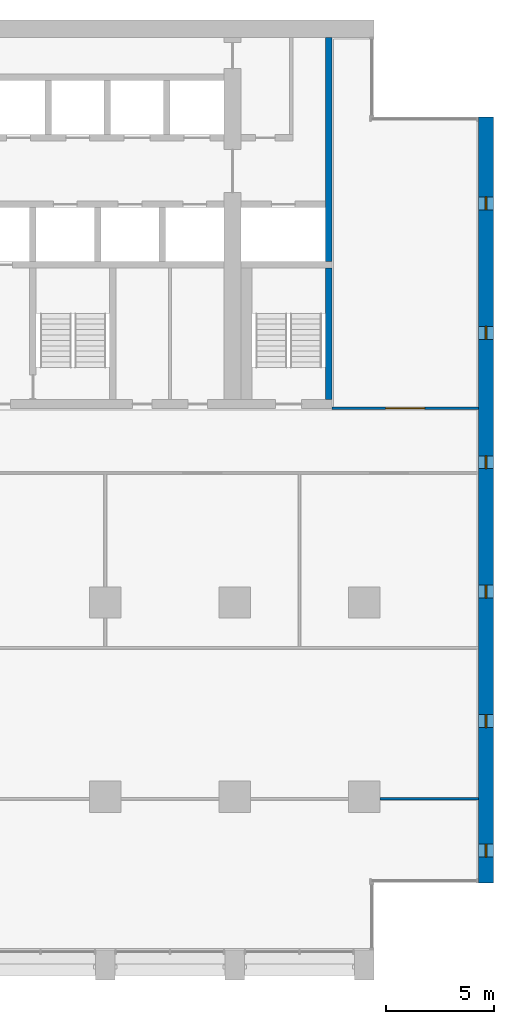
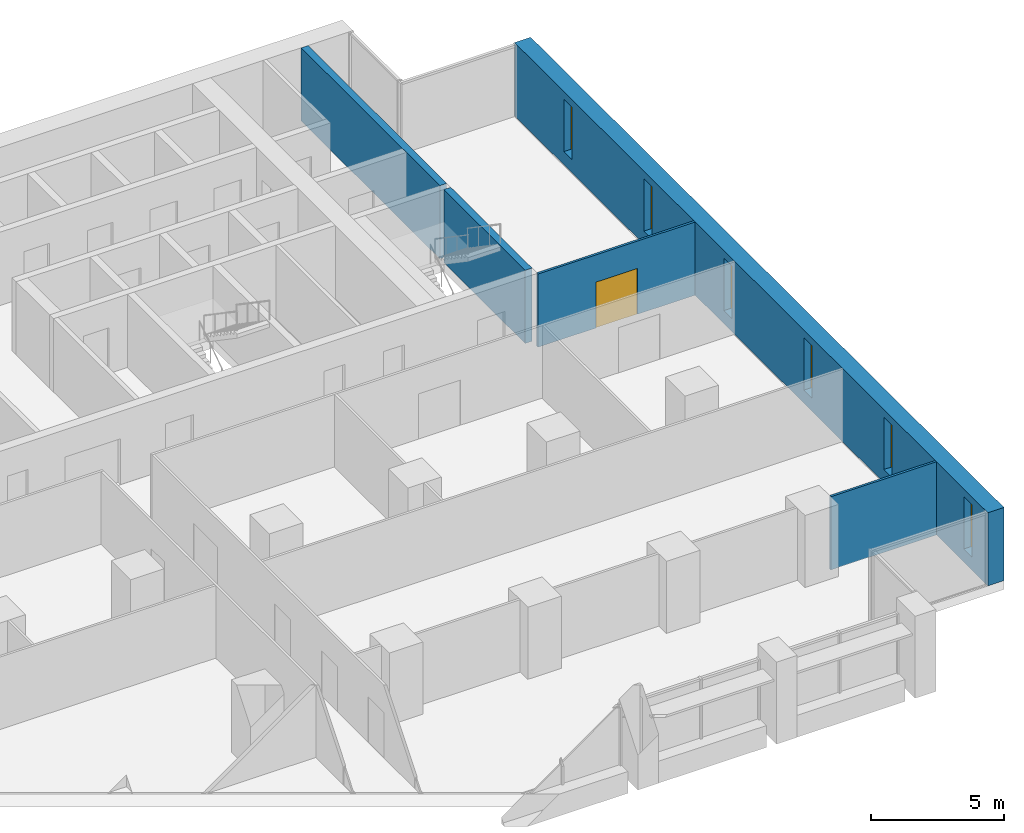
# One storey, part 12 of 17: 6 windows, 5 walls, 1 door, 7 openings.
"""IFC4 building model written with IfcOpenShell, lengths in metres."""

from ifc_helpers import new_model, si_unit, direction, frame, frame_2d, origin, place, context, subcontext, project, spatial, rectangle, extrude, material, layer, layer_set, type_object, element, fill, save


model = new_model("IFC4")

# Units and contexts
model_context = context("Model", 3, precision=1e-05, world=origin(), true_north=direction((0.0, 1.0)))
body_context = subcontext(model_context, "Body", "Model", "MODEL_VIEW")
ifc_project = project(units=[si_unit("LENGTHUNIT", "METRE"), si_unit("AREAUNIT", "SQUARE_METRE"), si_unit("VOLUMEUNIT", "CUBIC_METRE"), si_unit("PLANEANGLEUNIT", "RADIAN"), si_unit("MASSUNIT", "GRAM", prefix="KILO")], contexts=[model_context])

# Site, building, storey
site_placement = place(None, origin())
site = spatial("IfcSite", under=ifc_project, at=site_placement, CompositionType="ELEMENT")
building_placement = place(site_placement, origin())
building = spatial("IfcBuilding", under=site, at=building_placement, Name="Calvaro Tower", CompositionType="ELEMENT")
storey_placement = place(building_placement, frame((0.0, 0.0, 98.75)))
storey = spatial("IfcBuildingStorey", under=building, at=storey_placement, Name="L24", CompositionType="ELEMENT", Elevation=98.75)

# Walls
ifc_material_1 = material(Name="Concrete C60/75", Category="concrete")
ifc_layer_1 = layer(ifc_material_1, 0.300048828125)
ifc_layer_set_1 = layer_set([ifc_layer_1], Name="Concrete C60/75")
wall_type_1 = type_object("IfcWallType", Name="Core wall C60/75 300", PredefinedType="SHEAR", material=ifc_layer_set_1)
wall_1_placement = place(storey_placement, frame((64.35009765625, 34.800048828125, 0.0), z_axis=(0.0, 0.0, 1.0), x_axis=(0.0, 1.0, 0.0)))
element("IfcWall", 1, at=wall_1_placement, inside=storey, type_object=wall_type_1, Name="Core wall, boundary", PredefinedType="SHEAR", context=body_context, shape_type="SweptSolid", body=[
    extrude(rectangle(XDim=10.39990234375, YDim=0.300048828125, at=frame_2d((5.199951171875, 0.0))), origin(), (0.0, 0.0, 1.0), 3.35009765625),
])
wall_2_placement = place(storey_placement, frame((64.35009765625, 28.39990234375, 0.0), z_axis=(0.0, 0.0, 1.0), x_axis=(0.0, 1.0, 0.0)))
element("IfcWall", 2, at=wall_2_placement, inside=storey, type_object=wall_type_1, Name="Core wall, stair enclosure", PredefinedType="SHEAR", context=body_context, shape_type="SweptSolid", body=[
    extrude(rectangle(XDim=6.10009765625, YDim=0.300048828125, at=frame_2d((3.050048828125, 0.0))), origin(), (0.0, 0.0, 1.0), 3.35009765625),
])

# Wall, openings, windows
ifc_material_2 = material(Name="Concrete C60/75", Category="concrete")
ifc_layer_2 = layer(ifc_material_2, 0.699951171875)
ifc_layer_set_2 = layer_set([ifc_layer_2], Name="Concrete C60/75")
wall_type_2 = type_object("IfcWallType", Name="End wall 700 C60/75", PredefinedType="SHEAR", material=ifc_layer_set_2)
wall_3_placement = place(storey_placement, frame((71.64990234375, 6.0, 0.0), z_axis=(0.0, 0.0, 1.0), x_axis=(0.0, 1.0, 0.0)))
wall_3 = element("IfcWall", 3, at=wall_3_placement, inside=storey, type_object=wall_type_2, Name="End shear wall", PredefinedType="SHEAR", context=body_context, shape_type="SweptSolid", body=[
    extrude(rectangle(XDim=35.5, YDim=0.699951171875, at=frame_2d((17.75, 0.0))), origin(), (0.0, 0.0, 1.0), 3.35009765625),
])
opening_1_placement = place(wall_3_placement, frame((1.199951171875, 0.0, 0.60009765625)))
opening_1 = element("IfcOpeningElement", 4, at=opening_1_placement, cuts=wall_3, Name="Opening WE01", PredefinedType="OPENING", context=body_context, shape_type="SweptSolid", body=[
    extrude(rectangle(XDim=0.60009765625, YDim=2.39990234375, at=frame_2d((0.300048828125, 1.199951171875))), frame((0.0, 0.35986328125, 0.0), z_axis=(0.0, -1.0, 0.0), x_axis=(1.0, 0.0, 0.0)), (0.0, 0.0, 1.0), 0.719970703125),
])
opening_2_placement = place(wall_3_placement, frame((7.199951171875, 0.0, 0.60009765625)))
opening_2 = element("IfcOpeningElement", 5, at=opening_2_placement, cuts=wall_3, Name="Opening WE02", PredefinedType="OPENING", context=body_context, shape_type="SweptSolid", body=[
    extrude(rectangle(XDim=0.60009765625, YDim=2.39990234375, at=frame_2d((0.300048828125, 1.199951171875))), frame((0.0, 0.35986328125, 0.0), z_axis=(0.0, -1.0, 0.0), x_axis=(1.0, 0.0, 0.0)), (0.0, 0.0, 1.0), 0.719970703125),
])
opening_3_placement = place(wall_3_placement, frame((13.199951171875, 0.0, 0.60009765625)))
opening_3 = element("IfcOpeningElement", 6, at=opening_3_placement, cuts=wall_3, Name="Opening WE03", PredefinedType="OPENING", context=body_context, shape_type="SweptSolid", body=[
    extrude(rectangle(XDim=0.60009765625, YDim=2.39990234375, at=frame_2d((0.300048828125, 1.199951171875))), frame((0.0, 0.35986328125, 0.0), z_axis=(0.0, -1.0, 0.0), x_axis=(1.0, 0.0, 0.0)), (0.0, 0.0, 1.0), 0.719970703125),
])
opening_4_placement = place(wall_3_placement, frame((19.199951171875, 0.0, 0.60009765625)))
opening_4 = element("IfcOpeningElement", 7, at=opening_4_placement, cuts=wall_3, Name="Opening WE04", PredefinedType="OPENING", context=body_context, shape_type="SweptSolid", body=[
    extrude(rectangle(XDim=0.60009765625, YDim=2.39990234375, at=frame_2d((0.300048828125, 1.199951171875))), frame((0.0, 0.35986328125, 0.0), z_axis=(0.0, -1.0, 0.0), x_axis=(1.0, 0.0, 0.0)), (0.0, 0.0, 1.0), 0.719970703125),
])
opening_5_placement = place(wall_3_placement, frame((25.199951171875, 0.0, 0.60009765625)))
opening_5 = element("IfcOpeningElement", 8, at=opening_5_placement, cuts=wall_3, Name="Opening WE05", PredefinedType="OPENING", context=body_context, shape_type="SweptSolid", body=[
    extrude(rectangle(XDim=0.60009765625, YDim=2.39990234375, at=frame_2d((0.300048828125, 1.199951171875))), frame((0.0, 0.35986328125, 0.0), z_axis=(0.0, -1.0, 0.0), x_axis=(1.0, 0.0, 0.0)), (0.0, 0.0, 1.0), 0.719970703125),
])
opening_6_placement = place(wall_3_placement, frame((31.199951171875, 0.0, 0.60009765625)))
opening_6 = element("IfcOpeningElement", 9, at=opening_6_placement, cuts=wall_3, Name="Opening WE06", PredefinedType="OPENING", context=body_context, shape_type="SweptSolid", body=[
    extrude(rectangle(XDim=0.60009765625, YDim=2.39990234375, at=frame_2d((0.300048828125, 1.199951171875))), frame((0.0, 0.35986328125, 0.0), z_axis=(0.0, -1.0, 0.0), x_axis=(1.0, 0.0, 0.0)), (0.0, 0.0, 1.0), 0.719970703125),
])
ifc_material_3 = material(Name="Glass", Category="glass")
window_type = type_object("IfcWindowType", Name="Slit window 600 x 2400", PartitioningType="SINGLE_PANEL", PredefinedType="WINDOW", material=ifc_material_3)
window_1_placement = place(opening_1_placement, origin())
window_1 = element("IfcWindow", 10, at=window_1_placement, inside=storey, type_object=window_type, Name="Window WE01", OverallHeight=2.39990234375, OverallWidth=0.60009765625, PartitioningType="SINGLE_PANEL", PredefinedType="WINDOW", context=body_context, shape_type="SweptSolid", body=[
    extrude(rectangle(XDim=0.60009765625, YDim=2.39990234375, at=frame_2d((0.300048828125, 1.199951171875))), frame((0.0, 0.030029296875, 0.0), z_axis=(0.0, -1.0, 0.0), x_axis=(1.0, 0.0, 0.0)), (0.0, 0.0, 1.0), 0.06005859375),
])
fill(opening_1, window_1)
window_2_placement = place(opening_2_placement, origin())
window_2 = element("IfcWindow", 11, at=window_2_placement, inside=storey, type_object=window_type, Name="Window WE02", OverallHeight=2.39990234375, OverallWidth=0.60009765625, PartitioningType="SINGLE_PANEL", PredefinedType="WINDOW", context=body_context, shape_type="SweptSolid", body=[
    extrude(rectangle(XDim=0.60009765625, YDim=2.39990234375, at=frame_2d((0.300048828125, 1.199951171875))), frame((0.0, 0.030029296875, 0.0), z_axis=(0.0, -1.0, 0.0), x_axis=(1.0, 0.0, 0.0)), (0.0, 0.0, 1.0), 0.06005859375),
])
fill(opening_2, window_2)
window_3_placement = place(opening_3_placement, origin())
window_3 = element("IfcWindow", 12, at=window_3_placement, inside=storey, type_object=window_type, Name="Window WE03", OverallHeight=2.39990234375, OverallWidth=0.60009765625, PartitioningType="SINGLE_PANEL", PredefinedType="WINDOW", context=body_context, shape_type="SweptSolid", body=[
    extrude(rectangle(XDim=0.60009765625, YDim=2.39990234375, at=frame_2d((0.300048828125, 1.199951171875))), frame((0.0, 0.030029296875, 0.0), z_axis=(0.0, -1.0, 0.0), x_axis=(1.0, 0.0, 0.0)), (0.0, 0.0, 1.0), 0.06005859375),
])
fill(opening_3, window_3)
window_4_placement = place(opening_4_placement, origin())
window_4 = element("IfcWindow", 13, at=window_4_placement, inside=storey, type_object=window_type, Name="Window WE04", OverallHeight=2.39990234375, OverallWidth=0.60009765625, PartitioningType="SINGLE_PANEL", PredefinedType="WINDOW", context=body_context, shape_type="SweptSolid", body=[
    extrude(rectangle(XDim=0.60009765625, YDim=2.39990234375, at=frame_2d((0.300048828125, 1.199951171875))), frame((0.0, 0.030029296875, 0.0), z_axis=(0.0, -1.0, 0.0), x_axis=(1.0, 0.0, 0.0)), (0.0, 0.0, 1.0), 0.06005859375),
])
fill(opening_4, window_4)
window_5_placement = place(opening_5_placement, origin())
window_5 = element("IfcWindow", 14, at=window_5_placement, inside=storey, type_object=window_type, Name="Window WE05", OverallHeight=2.39990234375, OverallWidth=0.60009765625, PartitioningType="SINGLE_PANEL", PredefinedType="WINDOW", context=body_context, shape_type="SweptSolid", body=[
    extrude(rectangle(XDim=0.60009765625, YDim=2.39990234375, at=frame_2d((0.300048828125, 1.199951171875))), frame((0.0, 0.030029296875, 0.0), z_axis=(0.0, -1.0, 0.0), x_axis=(1.0, 0.0, 0.0)), (0.0, 0.0, 1.0), 0.06005859375),
])
fill(opening_5, window_5)
window_6_placement = place(opening_6_placement, origin())
window_6 = element("IfcWindow", 15, at=window_6_placement, inside=storey, type_object=window_type, Name="Window WE06", OverallHeight=2.39990234375, OverallWidth=0.60009765625, PartitioningType="SINGLE_PANEL", PredefinedType="WINDOW", context=body_context, shape_type="SweptSolid", body=[
    extrude(rectangle(XDim=0.60009765625, YDim=2.39990234375, at=frame_2d((0.300048828125, 1.199951171875))), frame((0.0, 0.030029296875, 0.0), z_axis=(0.0, -1.0, 0.0), x_axis=(1.0, 0.0, 0.0)), (0.0, 0.0, 1.0), 0.06005859375),
])
fill(opening_6, window_6)

# Wall
ifc_material_4 = material(Name="Plasterboard on steel studs", Category="steel")
ifc_layer_3 = layer(ifc_material_4, 0.10009765625)
ifc_layer_set_3 = layer_set([ifc_layer_3], Name="Plasterboard on steel studs")
wall_type_3 = type_object("IfcWallType", Name="Partition 100", PredefinedType="PARTITIONING", material=ifc_layer_set_3)
wall_4_placement = place(storey_placement, frame((66.72509765625, 9.89990234375, 0.0), z_axis=(0.0, 0.0, 1.0), x_axis=(1.0, 0.0, 0.0)))
element("IfcWall", 16, at=wall_4_placement, inside=storey, type_object=wall_type_3, Name="Partition T16.W003", PredefinedType="PARTITIONING", context=body_context, shape_type="SweptSolid", body=[
    extrude(rectangle(XDim=4.574951171875, YDim=0.10009765625, at=frame_2d((2.28759765625, 0.0))), origin(), (0.0, 0.0, 1.0), 3.35009765625),
])

# Wall, opening, door
wall_5_placement = place(storey_placement, frame((64.5, 28.0, 0.0), z_axis=(0.0, 0.0, 1.0), x_axis=(1.0, 0.0, 0.0)))
wall_5 = element("IfcWall", 17, at=wall_5_placement, inside=storey, type_object=wall_type_3, Name="Partition T16.W015", PredefinedType="PARTITIONING", context=body_context, shape_type="SweptSolid", body=[
    extrude(rectangle(XDim=6.800048828125, YDim=0.10009765625, at=frame_2d((3.39990234375, 0.0))), origin(), (0.0, 0.0, 1.0), 3.35009765625),
])
opening_7_placement = place(wall_5_placement, frame((2.5, 0.0, 0.0)))
opening_7 = element("IfcOpeningElement", 18, at=opening_7_placement, cuts=wall_5, Name="Opening T16.020", PredefinedType="OPENING", context=body_context, shape_type="SweptSolid", body=[
    extrude(rectangle(XDim=1.800048828125, YDim=2.10009765625, at=frame_2d((0.89990234375, 1.050048828125))), frame((0.0, 0.06005859375, 0.0), z_axis=(0.0, -1.0, 0.0), x_axis=(1.0, 0.0, 0.0)), (0.0, 0.0, 1.0), 0.1201171875),
])
ifc_material_5 = material(Name="Timber", Category="wood")
door_type = type_object("IfcDoorType", Name="Internal double door 1800 x 2100", OperationType="DOUBLE_DOOR_SINGLE_SWING", PredefinedType="DOOR", material=ifc_material_5)
door_placement = place(opening_7_placement, origin())
door = element("IfcDoor", 19, at=door_placement, inside=storey, type_object=door_type, Name="Door T16.020", OperationType="DOUBLE_DOOR_SINGLE_SWING", OverallHeight=2.10009765625, OverallWidth=1.800048828125, PredefinedType="DOOR", context=body_context, shape_type="SweptSolid", body=[
    extrude(rectangle(XDim=1.800048828125, YDim=2.10009765625, at=frame_2d((0.89990234375, 1.050048828125))), frame((0.0, 0.02490234375, 0.0), z_axis=(0.0, -1.0, 0.0), x_axis=(1.0, 0.0, 0.0)), (0.0, 0.0, 1.0), 0.050048828125),
])
fill(opening_7, door)

save(model, "model.ifc")
